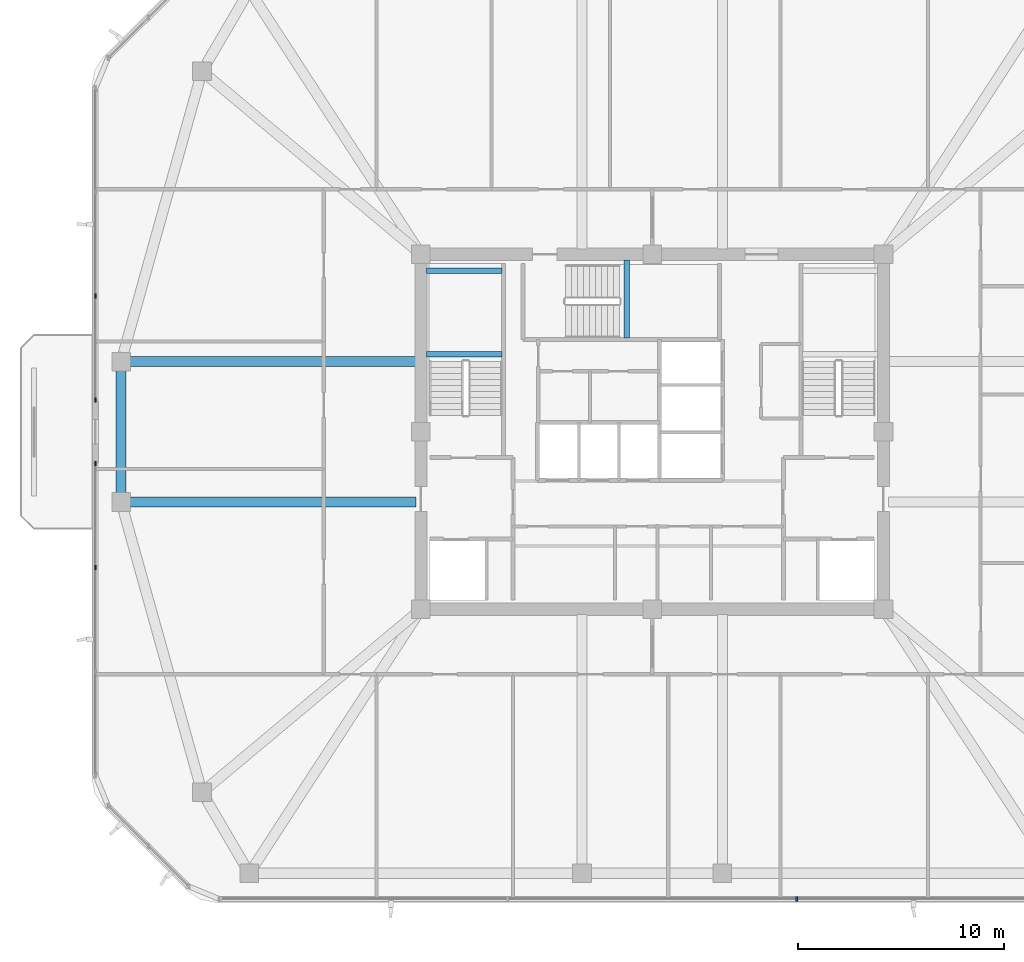
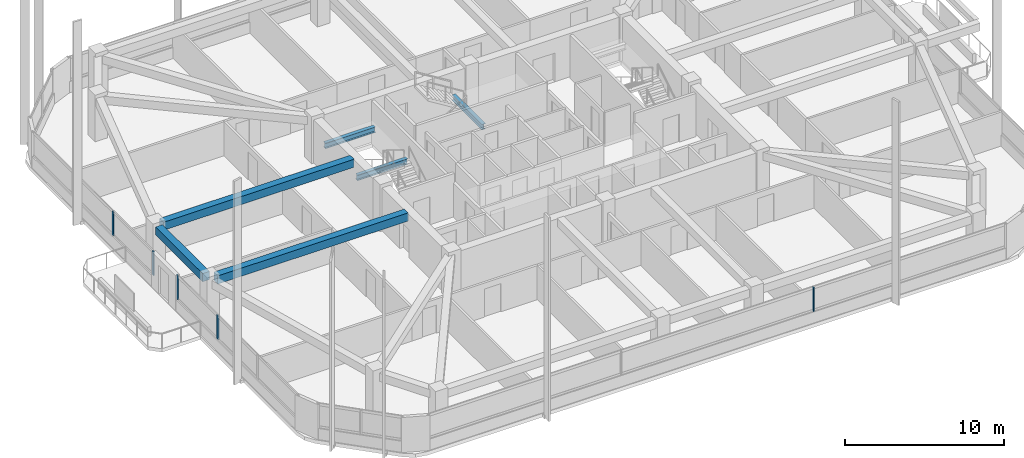
# One storey, part 4 of 17: 6 beams, 5 members, 3 elements without a shape of their own.
"""IFC4 building model written with IfcOpenShell, lengths in metres."""

from ifc_helpers import new_model, si_unit, derived_unit, direction, frame, origin, origin_2d, place, context, subcontext, project, spatial, rectangle, i_section, extrude, material, material_profile, profile_set, type_object, element, aggregate, save


model = new_model("IFC4")

# Units and contexts
model_context = context("Model", 3, precision=1e-05, world=origin(), true_north=direction((0.0, 1.0)))
body_context = subcontext(model_context, "Body", "Model", "MODEL_VIEW")
ifc_project = project(units=[si_unit("LENGTHUNIT", "METRE"), si_unit("AREAUNIT", "SQUARE_METRE"), si_unit("VOLUMEUNIT", "CUBIC_METRE"), si_unit("PLANEANGLEUNIT", "RADIAN"), si_unit("MASSUNIT", "GRAM", prefix="KILO"), derived_unit("THERMALTRANSMITTANCEUNIT", [(si_unit("POWERUNIT", "WATT"), 1), (si_unit("LENGTHUNIT", "METRE"), -2), (si_unit("THERMODYNAMICTEMPERATUREUNIT", "KELVIN"), -1)])], contexts=[model_context])

# Site, building, storey
site_placement = place(None, origin())
site = spatial("IfcSite", under=ifc_project, at=site_placement, CompositionType="ELEMENT")
building_placement = place(site_placement, origin())
building = spatial("IfcBuilding", under=site, at=building_placement, Name="Koralith Skygarden Medical Center", CompositionType="ELEMENT")
storey_placement = place(building_placement, frame((0.0, 0.0, 221.580078125)))
storey = spatial("IfcBuildingStorey", under=building, at=storey_placement, Name="L57", CompositionType="ELEMENT", Elevation=221.580078125)

# Curtain wall, member
ifc_material_1 = material(Name="Clear Laminated Glass", Category="glass")
curtain_wall_type = type_object("IfcCurtainWallType", Name="CW-5 Zone 4 Flare Biophilic Curtain Wall", PredefinedType="NOTDEFINED", material=ifc_material_1)
curtain_wall_1_placement = place(storey_placement, origin())
curtain_wall_1 = element("IfcCurtainWall", 1, at=curtain_wall_1_placement, inside=storey, type_object=curtain_wall_type, Name="Curtain Wall CW-L57-S", PredefinedType="NOTDEFINED")
ifc_material_2 = material(Name="Aluminium 6063-T6", Category="aluminium")
ifc_material_profile_1 = material_profile(ifc_material_2, rectangle(XDim=0.080078125, YDim=0.219970703125, at=origin_2d()), Name="MUL80X220")
ifc_profile_set_1 = profile_set([ifc_material_profile_1], Name="Aluminium 6063-T6")
member_type = type_object("IfcMemberType", Name="CW-5 Extruded Mullion 80x220", PredefinedType="MULLION", material=ifc_profile_set_1)
member_1_placement = place(storey_placement, frame((43.99609375, 3.280029296875, 0.849853515625), z_axis=(0.0, 0.0, 1.0), x_axis=(1.0, 0.0, 0.0)))
member_1 = element("IfcMember", 2, at=member_1_placement, type_object=member_type, Name="CW-L57-S Mullion 3", PredefinedType="MULLION", context=body_context, shape_type="SweptSolid", body=[
    extrude(rectangle(XDim=0.080078125, YDim=0.219970703125, at=origin_2d()), origin(), (0.0, 0.0, 1.0), 1.840087890625),
])
aggregate(curtain_wall_1, [member_1])

# Curtain wall, members
curtain_wall_2_placement = place(storey_placement, origin())
curtain_wall_2 = element("IfcCurtainWall", 3, at=curtain_wall_2_placement, inside=storey, type_object=curtain_wall_type, Name="Curtain Wall CW-L57-W-L", PredefinedType="NOTDEFINED")
member_2_placement = place(storey_placement, frame((10.0380859375, 32.47509765625, 0.849853515625), z_axis=(0.0, 0.0, 1.0), x_axis=(1.0, 0.0, 0.0)))
member_2 = element("IfcMember", 4, at=member_2_placement, type_object=member_type, Name="CW-L57-W-L Mullion 3", PredefinedType="MULLION", context=body_context, shape_type="SweptSolid", body=[
    extrude(rectangle(XDim=0.080078125, YDim=0.219970703125, at=origin_2d()), origin(), (0.0, 0.0, 1.0), 1.840087890625),
])
member_3_placement = place(storey_placement, frame((10.0380859375, 27.43994140625, 0.849853515625), z_axis=(0.0, 0.0, 1.0), x_axis=(1.0, 0.0, 0.0)))
member_3 = element("IfcMember", 5, at=member_3_placement, type_object=member_type, Name="CW-L57-W-L Mullion 4", PredefinedType="MULLION", context=body_context, shape_type="SweptSolid", body=[
    extrude(rectangle(XDim=0.080078125, YDim=0.219970703125, at=origin_2d()), origin(), (0.0, 0.0, 1.0), 1.840087890625),
])
aggregate(curtain_wall_2, [member_2, member_3])

curtain_wall_3_placement = place(storey_placement, origin())
curtain_wall_3 = element("IfcCurtainWall", 6, at=curtain_wall_3_placement, inside=storey, type_object=curtain_wall_type, Name="Curtain Wall CW-L57-W-R", PredefinedType="NOTDEFINED")
member_4_placement = place(storey_placement, frame((10.0380859375, 24.360107421875, 0.849853515625), z_axis=(0.0, 0.0, 1.0), x_axis=(1.0, 0.0, 0.0)))
member_4 = element("IfcMember", 7, at=member_4_placement, type_object=member_type, Name="CW-L57-W-R Mullion 1", PredefinedType="MULLION", context=body_context, shape_type="SweptSolid", body=[
    extrude(rectangle(XDim=0.080078125, YDim=0.219970703125, at=origin_2d()), origin(), (0.0, 0.0, 1.0), 1.840087890625),
])
member_5_placement = place(storey_placement, frame((10.0380859375, 19.324951171875, 0.849853515625), z_axis=(0.0, 0.0, 1.0), x_axis=(1.0, 0.0, 0.0)))
member_5 = element("IfcMember", 8, at=member_5_placement, type_object=member_type, Name="CW-L57-W-R Mullion 2", PredefinedType="MULLION", context=body_context, shape_type="SweptSolid", body=[
    extrude(rectangle(XDim=0.080078125, YDim=0.219970703125, at=origin_2d()), origin(), (0.0, 0.0, 1.0), 1.840087890625),
])
aggregate(curtain_wall_3, [member_4, member_5])

# Beams
ifc_material_3 = material(Name="Steel ASTM A992 Grade 50", Category="steel")
ifc_material_profile_2 = material_profile(ifc_material_3, i_section(OverallWidth=0.260009765625, OverallDepth=0.4150390625, WebThickness=0.010009765625, FlangeThickness=0.016845703125, at=origin_2d()), Name="W16X67")
ifc_profile_set_2 = profile_set([ifc_material_profile_2], Name="Steel ASTM A992 Grade 50")
beam_type_1 = type_object("IfcBeamType", Name="Clinical Floor Joist W16X67", PredefinedType="JOIST", material=ifc_profile_set_2)
for number, where, z_axis, x_axis, name in (
    (9, (26.080078125, 29.659912109375, 1.391845703125), (1.0, 0.0, 0.0), (0.0, 1.0, 0.0), "L57 Stair ST1 Half-Landing Support Beam 1A"),
    (10, (26.080078125, 33.699951171875, 1.391845703125), (1.0, 0.0, 0.0), (0.0, 1.0, 0.0), "L57 Stair ST1 Half-Landing Support Beam 1B"),
):
    element("IfcBeam", number, at=place(storey_placement, frame(where, z_axis=z_axis, x_axis=x_axis)), inside=storey, type_object=beam_type_1, Name=name, PredefinedType="JOIST", context=body_context, shape_type="SweptSolid", body=[
        extrude(i_section(OverallWidth=0.260009765625, OverallDepth=0.4150390625, WebThickness=0.010009765625, FlangeThickness=0.016845703125, at=origin_2d()), origin(), (0.0, 0.0, 1.0), 3.639892578125),
    ])
beam_1_placement = place(storey_placement, frame((35.760009765625, 30.43994140625, 1.391845703125), z_axis=(0.0, 1.0, 0.0), x_axis=(-1.0, 0.0, 0.0)))
element("IfcBeam", 11, at=beam_1_placement, inside=storey, type_object=beam_type_1, Name="L57 Stair ST3 Half-Landing Support Beam 1A", PredefinedType="JOIST", context=body_context, shape_type="SweptSolid", body=[
    extrude(i_section(OverallWidth=0.260009765625, OverallDepth=0.4150390625, WebThickness=0.010009765625, FlangeThickness=0.016845703125, at=origin_2d()), origin(), (0.0, 0.0, 1.0), 3.780029296875),
])
ifc_material_4 = material(Name="Concrete C45/55", Category="concrete")
ifc_material_profile_3 = material_profile(ifc_material_4, rectangle(XDim=0.5, YDim=0.6201171875, at=origin_2d()), Name="RCB500X620")
ifc_profile_set_3 = profile_set([ifc_material_profile_3], Name="Concrete C45/55")
beam_type_2 = type_object("IfcBeamType", Name="Upper Radial Collector Beam RCB500X620", PredefinedType="BEAM", material=ifc_profile_set_3)
for number, where, z_axis, x_axis, name in (
    (12, (25.550048828125, 22.5, 3.010009765625), (-1.0, 0.0, 0.0), (0.0, -1.0, 0.0), "L57 Radial Collector Beam RB-01"),
    (13, (25.550048828125, 29.300048828125, 3.010009765625), (-1.0, 0.0, 0.0), (0.0, -1.0, 0.0), "L57 Radial Collector Beam RB-16"),
):
    element("IfcBeam", number, at=place(storey_placement, frame(where, z_axis=z_axis, x_axis=x_axis)), inside=storey, type_object=beam_type_2, Name=name, PredefinedType="BEAM", context=body_context, shape_type="SweptSolid", body=[
        extrude(rectangle(XDim=0.5, YDim=0.6201171875, at=origin_2d()), origin(), (0.0, 0.0, 1.0), 13.83203125),
    ])
ifc_material_profile_4 = material_profile(ifc_material_4, rectangle(XDim=0.5, YDim=0.6201171875, at=origin_2d()), Name="RCB500X620")
ifc_profile_set_4 = profile_set([ifc_material_profile_4], Name="Concrete C45/55")
beam_type_3 = type_object("IfcBeamType", Name="Zone 4-5 Spandrel Beam RCB500X620", PredefinedType="SPANDREL", material=ifc_profile_set_4)
beam_2_placement = place(storey_placement, frame((11.278076171875, 28.860107421875, 3.010009765625), z_axis=(0.0, -1.0, 0.0), x_axis=(1.0, 0.0, 0.0)))
element("IfcBeam", 14, at=beam_2_placement, inside=storey, type_object=beam_type_3, Name="L57 Perimeter Spandrel Beam SP-16", PredefinedType="SPANDREL", context=body_context, shape_type="SweptSolid", body=[
    extrude(rectangle(XDim=0.5, YDim=0.6201171875, at=origin_2d()), origin(), (0.0, 0.0, 1.0), 5.920166015625),
])

save(model, "model.ifc")
